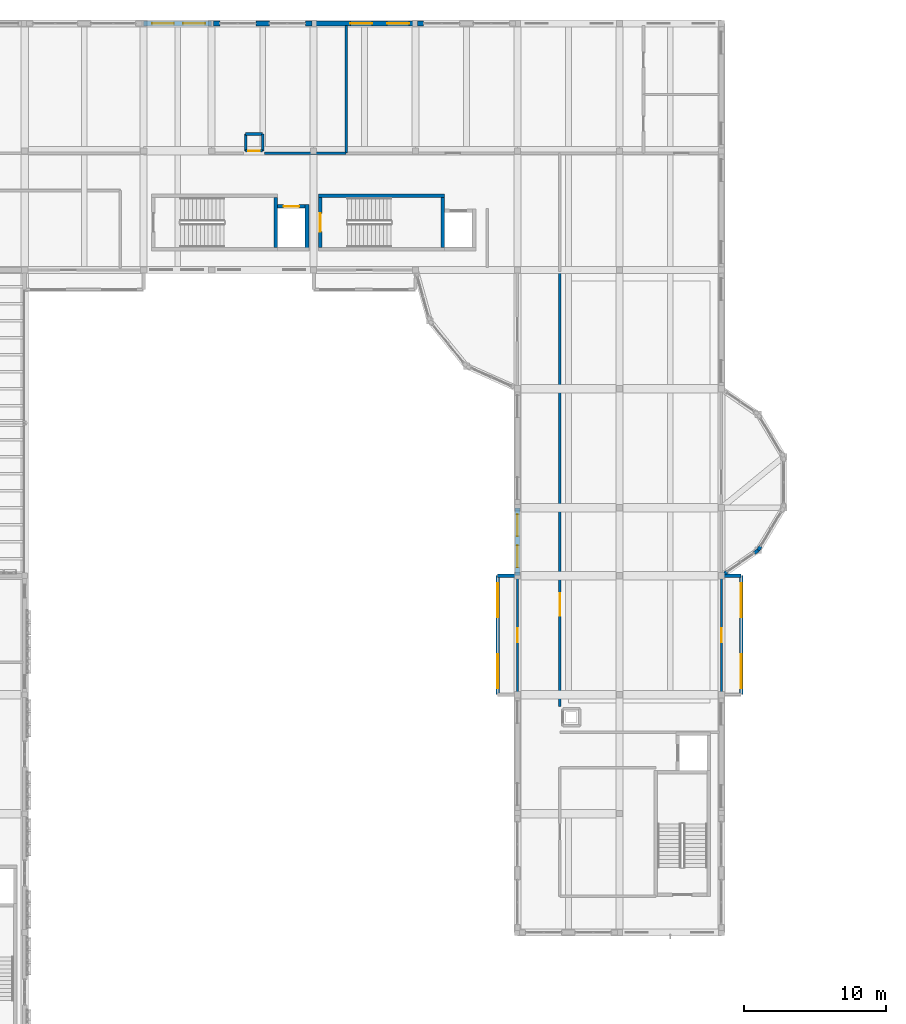
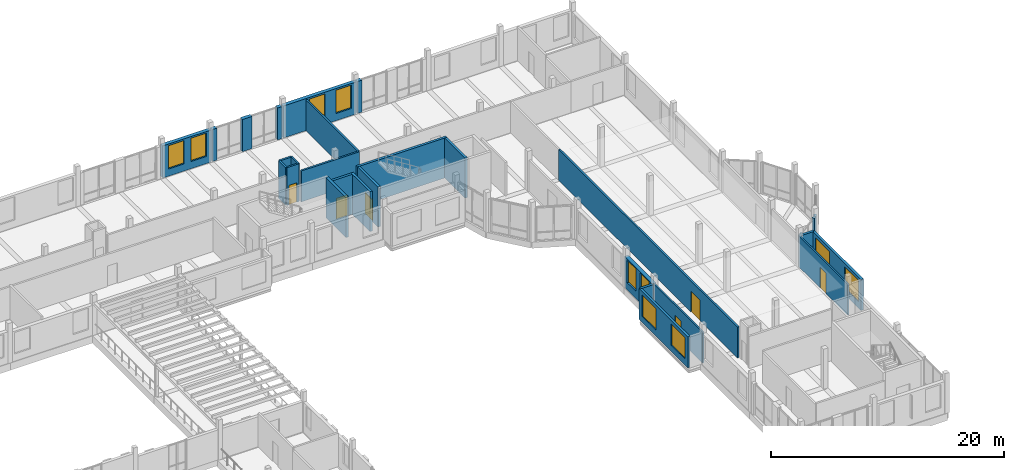
# One storey, part 72 of 99: 29 walls, 10 windows, 6 doors, 16 openings.
"""IFC4 building model written with IfcOpenShell, lengths in metres."""

import ifcopenshell
import ifcopenshell.guid

model = None  # the IFC model being written
_history = None  # IfcOwnerHistory: only IFC2X3 demands one
_inside = {}  # id of a spatial element -> (the spatial element, [elements in it])
_under = {}  # id of a project, library or spatial element -> (it, [spatial elements below it])
_declared = {}  # id of a project -> (the project, [libraries it declares])
_typed = {}  # id of a type object -> (the type object, [elements of that type])
_made_of = {}  # id of a material, layer set ... -> (it, [elements and type objects made of it])


def new_model(schema):
    """Start an empty IFC model of exactly this schema.

    Asked for "IFC4X3", IfcOpenShell would pick the latest addendum, in which some entities
    have other attributes; the version numbers below select the first issue.
    IFC2X3 requires an IfcOwnerHistory on every rooted entity: one is made here for all.
    """
    global model, _history
    if schema == "IFC4X3":
        model = ifcopenshell.file(schema_version=(4, 3, 0, 0))
    else:
        model = ifcopenshell.file(schema=schema)
    _inside.clear()
    _under.clear()
    _declared.clear()
    _typed.clear()
    _made_of.clear()
    _history = None
    if model.schema == "IFC2X3":
        org = make("IfcOrganization", Name="unknown")
        user = make(
            "IfcPersonAndOrganization",
            ThePerson=make("IfcPerson", FamilyName="unknown"),
            TheOrganization=org,
        )
        app = make(
            "IfcApplication",
            ApplicationDeveloper=org,
            Version="unknown",
            ApplicationFullName="unknown",
            ApplicationIdentifier="unknown",
        )
        _history = make(
            "IfcOwnerHistory",
            OwningUser=user,
            OwningApplication=app,
            ChangeAction="ADDED",
            CreationDate=0,
        )
    return model


def make(cls, **values):
    """One entity of the class cls with the attributes given. An attribute that is None is left unset."""
    return model.create_entity(
        cls, **{name: value for name, value in values.items() if value is not None}
    )


def rooted(cls, **values):
    """An entity with a GlobalId (a new one), such as an element, a storey or a relation."""
    return make(cls, GlobalId=ifcopenshell.guid.new(), OwnerHistory=_history, **values)


def si_unit(unit_type, name, prefix=None):
    """IfcSIUnit, for example si_unit("LENGTHUNIT", "METRE", prefix="MILLI")."""
    return make("IfcSIUnit", UnitType=unit_type, Prefix=prefix, Name=name)


def assignment(units):
    """IfcUnitAssignment: the units of a project."""
    return None if units is None else make("IfcUnitAssignment", Units=units)


def point(xyz):
    """IfcCartesianPoint."""
    return None if xyz is None else make("IfcCartesianPoint", Coordinates=xyz)


def direction(xyz):
    """IfcDirection."""
    return None if xyz is None else make("IfcDirection", DirectionRatios=xyz)


def frame(location, z_axis=None, x_axis=None):
    """IfcAxis2Placement3D, a coordinate frame: its origin and axes. An axis left out is left unset."""
    return make(
        "IfcAxis2Placement3D",
        Location=point(location),
        Axis=direction(z_axis),
        RefDirection=direction(x_axis),
    )


def frame_2d(location, x_axis=None):
    """IfcAxis2Placement2D, a coordinate frame in the plane: its origin and x axis."""
    return make(
        "IfcAxis2Placement2D", Location=point(location), RefDirection=direction(x_axis)
    )


def origin():
    """The frame at (0, 0, 0) with its axes left unset."""
    return frame((0.0, 0.0, 0.0))


def place(relative_to, where):
    """IfcLocalPlacement: puts the frame where relative to a parent placement (None: the world)."""
    return make(
        "IfcLocalPlacement", PlacementRelTo=relative_to, RelativePlacement=where
    )


def context(
    kind, dimensions, precision=None, world=None, true_north=None, identifier=None
):
    """IfcGeometricRepresentationContext, for example the 3D "Model" context."""
    return make(
        "IfcGeometricRepresentationContext",
        ContextIdentifier=identifier,
        ContextType=kind,
        CoordinateSpaceDimension=dimensions,
        Precision=precision,
        WorldCoordinateSystem=world,
        TrueNorth=true_north,
    )


def subcontext(parent, identifier, kind, view, scale=None):
    """IfcGeometricRepresentationSubContext, for example "Body" below "Model"."""
    return make(
        "IfcGeometricRepresentationSubContext",
        ContextIdentifier=identifier,
        ContextType=kind,
        ParentContext=parent,
        TargetScale=scale,
        TargetView=view,
    )


def project(units=None, contexts=None):
    """IfcProject with its units and contexts."""
    return rooted(
        "IfcProject",
        Name="project",
        RepresentationContexts=contexts,
        UnitsInContext=assignment(units),
    )


def spatial(cls, under=None, at=None, **own):
    """A site, building, storey or space (cls), placed at a placement, below another one or the project."""
    s = rooted(cls, ObjectPlacement=at, **own)
    if under is not None:
        _under.setdefault(under.id(), (under, []))[1].append(s)
    return s


def profile(cls, at=None, kind="AREA", **sizes):
    """A parametric profile (cls). Its sizes go by their IFC names, for example OverallWidth=200.0."""
    return make(cls, ProfileType=kind, Position=at, **sizes)


def rectangle(**sizes):
    """IfcRectangleProfileDef."""
    return profile("IfcRectangleProfileDef", **sizes)


def extrude(swept, where, along, depth):
    """IfcExtrudedAreaSolid: the profile swept, set in the frame where, extruded along a direction by depth."""
    return make(
        "IfcExtrudedAreaSolid",
        SweptArea=swept,
        Position=where,
        ExtrudedDirection=direction(along),
        Depth=depth,
    )


def shape(context_of_items, identifier, shape_type, items):
    """IfcShapeRepresentation: the items that make up one representation, for example the "Body"."""
    return make(
        "IfcShapeRepresentation",
        ContextOfItems=context_of_items,
        RepresentationIdentifier=identifier,
        RepresentationType=shape_type,
        Items=items,
    )


def material(Name=None, Category=None):
    """IfcMaterial."""
    return make("IfcMaterial", Name=Name, Category=Category)


def layer(
    of_material, thickness, ventilated=None, Name=None, Category=None, Priority=None
):
    """IfcMaterialLayer: one layer of a wall or slab, of a material (None: an air gap)."""
    return make(
        "IfcMaterialLayer",
        Material=of_material,
        LayerThickness=thickness,
        IsVentilated=ventilated,
        Name=Name,
        Category=Category,
        Priority=Priority,
    )


def layer_set(layers, Name=None):
    """IfcMaterialLayerSet."""
    return make("IfcMaterialLayerSet", MaterialLayers=layers, LayerSetName=Name)


def made_of(thing, what):
    """Note that an element or type object is made of a material, layer set ...; save() writes the relation."""
    if what is not None:
        _made_of.setdefault(what.id(), (what, []))[1].append(thing)
    return thing


def type_object(cls, material=None, **own):
    """A type object (cls), such as IfcWallType, which elements share."""
    return made_of(rooted(cls, **own), material)


def element(
    cls,
    number,
    at=None,
    inside=None,
    cuts=None,
    type_object=None,
    material=None,
    context=None,
    identifier="Body",
    shape_type=None,
    held_by="IfcProductDefinitionShape",
    body=None,
    shapes=None,
    **own,
):
    """One element of the class cls, such as IfcWall. Its Tag is "e" and its number.

    at: its placement. inside: the storey or other place that contains it. cuts: it is an
    opening in that element (IfcRelVoidsElement). A single representation is given by context,
    identifier, shape_type and body (its items); several are given by shapes. held_by: the class
    of the entity that holds the representations. save() writes the other relations.
    """
    e = rooted(cls, Tag="e%d" % number, ObjectPlacement=at, **own)
    if body is not None:
        shapes = [shape(context, identifier, shape_type, body)]
    if shapes is not None:
        e.Representation = make(held_by, Representations=shapes)
    if inside is not None:
        _inside.setdefault(inside.id(), (inside, []))[1].append(e)
    if cuts is not None:
        rooted(
            "IfcRelVoidsElement", RelatingBuildingElement=cuts, RelatedOpeningElement=e
        )
    if type_object is not None:
        _typed.setdefault(type_object.id(), (type_object, []))[1].append(e)
    return made_of(e, material)


def fill(opening, filler):
    """IfcRelFillsElement: the door or window that sits in an opening."""
    return rooted(
        "IfcRelFillsElement",
        RelatingOpeningElement=opening,
        RelatedBuildingElement=filler,
    )


def aggregate(whole, parts):
    """IfcRelAggregates: a whole, such as a stair, and the parts it consists of."""
    return rooted("IfcRelAggregates", RelatingObject=whole, RelatedObjects=parts)


def save(model, path):
    """Write the relations noted so far, then the file.

    IfcRelAggregates (storeys below a building ...), IfcRelContainedInSpatialStructure (elements
    in a storey), IfcRelDefinesByType, IfcRelAssociatesMaterial and IfcRelDeclares: one each for
    every whole, place, type object, material and project.
    """
    for whole, parts in _under.values():
        aggregate(whole, parts)
    for where, things in _inside.values():
        rooted(
            "IfcRelContainedInSpatialStructure",
            RelatedElements=things,
            RelatingStructure=where,
        )
    for kind, things in _typed.values():
        rooted("IfcRelDefinesByType", RelatedObjects=things, RelatingType=kind)
    for what, things in _made_of.values():
        rooted("IfcRelAssociatesMaterial", RelatedObjects=things, RelatingMaterial=what)
    for by, libraries in _declared.values():
        rooted("IfcRelDeclares", RelatingContext=by, RelatedDefinitions=libraries)
    model.write(path)


model = new_model("IFC4")

# Units and contexts
model_context = context("Model", 3, precision=1e-05, world=origin(), true_north=direction((0.0, 1.0)))
body_context = subcontext(model_context, "Body", "Model", "MODEL_VIEW")
ifc_project = project(units=[si_unit("LENGTHUNIT", "METRE"), si_unit("AREAUNIT", "SQUARE_METRE"), si_unit("VOLUMEUNIT", "CUBIC_METRE"), si_unit("PLANEANGLEUNIT", "RADIAN"), si_unit("MASSUNIT", "GRAM", prefix="KILO")], contexts=[model_context])

# Site, building, storey
site_placement = place(None, origin())
site = spatial("IfcSite", under=ifc_project, at=site_placement, CompositionType="ELEMENT")
building_placement = place(site_placement, origin())
building = spatial("IfcBuilding", under=site, at=building_placement, Name="Kahlenmark Community Centre", CompositionType="ELEMENT")
storey_placement = place(building_placement, frame((0.0, 0.0, 5.39990234375)))
storey = spatial("IfcBuildingStorey", under=building, at=storey_placement, Name="L01", CompositionType="ELEMENT", Elevation=5.39990234375)

# Walls
ifc_material_1 = material(Name="Concrete C35/45", Category="concrete")
ifc_layer_1 = layer(ifc_material_1, 0.25)
ifc_layer_set_1 = layer_set([ifc_layer_1], Name="Concrete C35/45")
wall_type_1 = type_object("IfcWallType", Name="WT-CORE-250", PredefinedType="SHEAR", material=ifc_layer_set_1)
wall_1_placement = place(storey_placement, frame((55.324951171875, 99.199951171875, 0.0), z_axis=(0.0, 0.0, 1.0), x_axis=(0.0, 1.0, 0.0)))
element("IfcWall", 1, at=wall_1_placement, inside=storey, type_object=wall_type_1, Name="Core K4 shear wall WL-CORE-K4-L01-0116", PredefinedType="SHEAR", context=body_context, shape_type="SweptSolid", body=[
    extrude(rectangle(XDim=3.5, YDim=0.25, at=frame_2d((1.75, 0.0))), origin(), (0.0, 0.0, 1.0), 4.2001953125),
])
wall_2_placement = place(storey_placement, frame((57.534912109375, 98.949951171875, 0.0), z_axis=(0.0, 0.0, 1.0), x_axis=(0.0, 1.0, 0.0)))
element("IfcWall", 2, at=wall_2_placement, inside=storey, type_object=wall_type_1, Name="Core K4 shear wall WL-CORE-K4-L01-0118", PredefinedType="SHEAR", context=body_context, shape_type="SweptSolid", body=[
    extrude(rectangle(XDim=3.260009765625, YDim=0.25, at=frame_2d((1.6298828125, 0.0))), origin(), (0.0, 0.0, 1.0), 4.2001953125),
])

# Wall, opening, door
wall_3_placement = place(storey_placement, frame((55.449951171875, 102.0849609375, 0.0), z_axis=(0.0, 0.0, 1.0), x_axis=(1.0, 0.0, 0.0)))
wall_3 = element("IfcWall", 3, at=wall_3_placement, inside=storey, type_object=wall_type_1, Name="Core K4 shear wall WL-CORE-K4-L01-0119", PredefinedType="SHEAR", context=body_context, shape_type="SweptSolid", body=[
    extrude(rectangle(XDim=1.9599609375, YDim=0.25, at=frame_2d((0.97998046875, 0.0))), origin(), (0.0, 0.0, 1.0), 4.2001953125),
])
opening_1_placement = place(wall_3_placement, frame((0.429931640625, 0.0, -0.010009765625)))
opening_1 = element("IfcOpeningElement", 4, at=opening_1_placement, cuts=wall_3, Name="Opening LD-4", PredefinedType="OPENING", context=body_context, shape_type="SweptSolid", body=[
    extrude(rectangle(XDim=1.10009765625, YDim=2.159912109375, at=frame_2d((0.550048828125, 1.080078125))), frame((0.0, 0.135009765625, 0.0), z_axis=(0.0, -1.0, 0.0), x_axis=(1.0, 0.0, 0.0)), (0.0, 0.0, 1.0), 0.27001953125),
])
ifc_material_2 = material(Name="Brushed stainless steel sliding lift landing door", Category="steel")
door_type_1 = type_object("IfcDoorType", Name="DT-LD-K4", OperationType="SLIDING_TO_LEFT", PredefinedType="DOOR", material=ifc_material_2)
door_1_placement = place(opening_1_placement, frame((0.0, 0.0, 0.010009765625)))
door_1 = element("IfcDoor", 5, at=door_1_placement, inside=storey, type_object=door_type_1, Name="Lift LF-04 sliding landing door L01", OperationType="SLIDING_TO_LEFT", OverallHeight=2.14990234375, OverallWidth=1.10009765625, PredefinedType="DOOR", context=body_context, shape_type="SweptSolid", body=[
    extrude(rectangle(XDim=1.10009765625, YDim=2.14990234375, at=frame_2d((0.550048828125, 1.074951171875))), frame((0.0, 0.02490234375, 0.0), z_axis=(0.0, -1.0, 0.0), x_axis=(1.0, 0.0, 0.0)), (0.0, 0.0, 1.0), 0.050048828125),
])
fill(opening_1, door_1)

wall_4_placement = place(storey_placement, frame((58.47509765625, 102.699951171875, 0.0), z_axis=(0.0, 0.0, 1.0), x_axis=(0.0, -1.0, 0.0)))
wall_4 = element("IfcWall", 6, at=wall_4_placement, inside=storey, type_object=wall_type_1, Name="Core K5 shear wall WL-CORE-K5-L01-0162", PredefinedType="SHEAR", context=body_context, shape_type="SweptSolid", body=[
    extrude(rectangle(XDim=3.5, YDim=0.25, at=frame_2d((1.75, 0.0))), origin(), (0.0, 0.0, 1.0), 4.2001953125),
])
opening_2_placement = place(wall_4_placement, frame((1.10009765625, 0.0, -0.010009765625)))
opening_2 = element("IfcOpeningElement", 7, at=opening_2_placement, cuts=wall_4, Name="Opening FD-K5-L01", PredefinedType="OPENING", context=body_context, shape_type="SweptSolid", body=[
    extrude(rectangle(XDim=1.300048828125, YDim=2.159912109375, at=frame_2d((0.64990234375, 1.080078125))), frame((0.0, 0.135009765625, 0.0), z_axis=(0.0, -1.0, 0.0), x_axis=(1.0, 0.0, 0.0)), (0.0, 0.0, 1.0), 0.27001953125),
])
ifc_material_3 = material(Name="Fire-rated steel-framed timber door FD60S", Category="steel")
door_type_2 = type_object("IfcDoorType", Name="DT-FD-K5-L01", OperationType="NOTDEFINED", PredefinedType="DOOR", material=ifc_material_3)
door_2_placement = place(opening_2_placement, frame((1.300048828125, 0.0, 0.010009765625), z_axis=(0.0, 0.0, 1.0), x_axis=(-1.0, 0.0, 0.0)))
door_2 = element("IfcDoor", 8, at=door_2_placement, inside=storey, type_object=door_type_2, Name="Core K5 stair fire door L01", OperationType="SINGLE_SWING_LEFT", OverallHeight=2.14990234375, OverallWidth=1.300048828125, PredefinedType="DOOR", context=body_context, shape_type="SweptSolid", body=[
    extrude(rectangle(XDim=1.300048828125, YDim=2.14990234375, at=frame_2d((0.64990234375, 1.074951171875))), frame((0.0, 0.02490234375, 0.0), z_axis=(0.0, -1.0, 0.0), x_axis=(1.0, 0.0, 0.0)), (0.0, 0.0, 1.0), 0.050048828125),
])
fill(opening_2, door_2)

# Walls
wall_5_placement = place(storey_placement, frame((58.35009765625, 102.824951171875, 0.0), z_axis=(0.0, 0.0, 1.0), x_axis=(1.0, 0.0, 0.0)))
element("IfcWall", 9, at=wall_5_placement, inside=storey, type_object=wall_type_1, Name="Core K5 shear wall WL-CORE-K5-L01-0164", PredefinedType="SHEAR", context=body_context, shape_type="SweptSolid", body=[
    extrude(rectangle(XDim=8.89990234375, YDim=0.25, at=frame_2d((4.449951171875, 0.0))), origin(), (0.0, 0.0, 1.0), 4.2001953125),
])
wall_6_placement = place(storey_placement, frame((67.125, 99.199951171875, 0.0), z_axis=(0.0, 0.0, 1.0), x_axis=(0.0, 1.0, 0.0)))
element("IfcWall", 10, at=wall_6_placement, inside=storey, type_object=wall_type_1, Name="Core K5 shear wall WL-CORE-K5-L01-0165", PredefinedType="SHEAR", context=body_context, shape_type="SweptSolid", body=[
    extrude(rectangle(XDim=3.5, YDim=0.25, at=frame_2d((1.75, 0.0))), origin(), (0.0, 0.0, 1.0), 4.2001953125),
])
ifc_material_4 = material(Name="Cross-laminated timber CLT C24", Category="wood")
ifc_layer_2 = layer(ifc_material_4, 0.239990234375)
ifc_layer_set_2 = layer_set([ifc_layer_2], Name="Cross-laminated timber CLT C24")
wall_type_2 = type_object("IfcWallType", Name="WT-EW-240", PredefinedType="SOLIDWALL", material=ifc_layer_set_2)
wall_7_placement = place(storey_placement, frame((87.0302734375, 76.159423828125, 0.0), z_axis=(0.0, 0.0, 1.0), x_axis=(0.822192191644, 0.56920997883, 0.0)))
element("IfcWall", 11, at=wall_7_placement, inside=storey, type_object=wall_type_2, Name="Rotunda pier closure 0716", PredefinedType="SOLIDWALL", context=body_context, shape_type="SweptSolid", body=[
    extrude(rectangle(XDim=0.219970703125, YDim=0.239990234375, at=frame_2d((0.10986328125, 0.0))), origin(), (0.0, 0.0, 1.0), 3.25),
])
wall_8_placement = place(storey_placement, frame((89.12060546875, 77.6064453125, 0.0), z_axis=(0.0, 0.0, 1.0), x_axis=(0.821855834467, 0.569695521619, 0.0)))
element("IfcWall", 12, at=wall_8_placement, inside=storey, type_object=wall_type_2, Name="Rotunda pier closure 0717", PredefinedType="SOLIDWALL", context=body_context, shape_type="SweptSolid", body=[
    extrude(rectangle(XDim=0.33984375, YDim=0.239990234375, at=frame_2d((0.169921875, 0.0))), origin(), (0.0, 0.0, 1.0), 3.25),
])
wall_9_placement = place(storey_placement, frame((89.39990234375, 77.800048828125, 0.0), z_axis=(0.0, 0.0, 1.0), x_axis=(0.514812489021, 0.857302805984, 0.0)))
element("IfcWall", 13, at=wall_9_placement, inside=storey, type_object=wall_type_2, Name="Rotunda pier closure 0718", PredefinedType="SOLIDWALL", context=body_context, shape_type="SweptSolid", body=[
    extrude(rectangle(XDim=0.340087890625, YDim=0.239990234375, at=frame_2d((0.169921875, 0.0))), origin(), (0.0, 0.0, 1.0), 3.25),
])

# Wall, openings, windows
wall_10_placement = place(storey_placement, frame((88.199951171875, 67.60009765625, 0.0), z_axis=(0.0, 0.0, 1.0), x_axis=(0.0, 1.0, 0.0)))
wall_10 = element("IfcWall", 14, at=wall_10_placement, inside=storey, type_object=wall_type_2, Name="Bay oriel wall WL-ORI-L01-0809", PredefinedType="SOLIDWALL", context=body_context, shape_type="SweptSolid", body=[
    extrude(rectangle(XDim=8.39990234375, YDim=0.239990234375, at=frame_2d((4.199951171875, 0.0))), origin(), (0.0, 0.0, 1.0), 3.25),
])
opening_3_placement = place(wall_10_placement, frame((0.4599609375, 0.0, 0.64990234375)))
opening_3 = element("IfcOpeningElement", 15, at=opening_3_placement, cuts=wall_10, Name="Opening W-240X225", PredefinedType="OPENING", context=body_context, shape_type="SweptSolid", body=[
    extrude(rectangle(XDim=2.39990234375, YDim=2.25, at=frame_2d((1.199951171875, 1.125))), frame((0.0, 0.1298828125, 0.0), z_axis=(0.0, -1.0, 0.0), x_axis=(1.0, 0.0, 0.0)), (0.0, 0.0, 1.0), 0.260009765625),
])
opening_4_placement = place(wall_10_placement, frame((5.4599609375, 0.0, 0.64990234375)))
opening_4 = element("IfcOpeningElement", 16, at=opening_4_placement, cuts=wall_10, Name="Opening W-240X225", PredefinedType="OPENING", context=body_context, shape_type="SweptSolid", body=[
    extrude(rectangle(XDim=2.39990234375, YDim=2.25, at=frame_2d((1.199951171875, 1.125))), frame((0.0, 0.1298828125, 0.0), z_axis=(0.0, -1.0, 0.0), x_axis=(1.0, 0.0, 0.0)), (0.0, 0.0, 1.0), 0.260009765625),
])
ifc_material_5 = material(Name="Triple low-e insulated glazing in timber-aluminium frame", Category="wood")
window_type_1 = type_object("IfcWindowType", Name="WNT-240X225", PartitioningType="TRIPLE_PANEL_VERTICAL", PredefinedType="WINDOW", material=ifc_material_5)
window_1_placement = place(opening_3_placement, origin())
window_1 = element("IfcWindow", 17, at=window_1_placement, inside=storey, type_object=window_type_1, Name="Window W-240X225 #0503", OverallHeight=2.25, OverallWidth=2.39990234375, PartitioningType="TRIPLE_PANEL_VERTICAL", PredefinedType="WINDOW", context=body_context, shape_type="SweptSolid", body=[
    extrude(rectangle(XDim=2.39990234375, YDim=2.25, at=frame_2d((1.199951171875, 1.125))), frame((0.0, 0.030029296875, 0.0), z_axis=(0.0, -1.0, 0.0), x_axis=(1.0, 0.0, 0.0)), (0.0, 0.0, 1.0), 0.06005859375),
])
fill(opening_3, window_1)
window_2_placement = place(opening_4_placement, origin())
window_2 = element("IfcWindow", 18, at=window_2_placement, inside=storey, type_object=window_type_1, Name="Window W-240X225 #0504", OverallHeight=2.25, OverallWidth=2.39990234375, PartitioningType="TRIPLE_PANEL_VERTICAL", PredefinedType="WINDOW", context=body_context, shape_type="SweptSolid", body=[
    extrude(rectangle(XDim=2.39990234375, YDim=2.25, at=frame_2d((1.199951171875, 1.125))), frame((0.0, 0.030029296875, 0.0), z_axis=(0.0, -1.0, 0.0), x_axis=(1.0, 0.0, 0.0)), (0.0, 0.0, 1.0), 0.06005859375),
])
fill(opening_4, window_2)

# Wall
wall_11_placement = place(storey_placement, frame((88.199951171875, 76.0, 0.0), z_axis=(0.0, 0.0, 1.0), x_axis=(-1.0, 0.0, 0.0)))
element("IfcWall", 19, at=wall_11_placement, inside=storey, type_object=wall_type_2, Name="Bay oriel wall WL-ORI-L01-0810", PredefinedType="SOLIDWALL", context=body_context, shape_type="SweptSolid", body=[
    extrude(rectangle(XDim=1.39990234375, YDim=0.239990234375, at=frame_2d((0.699951171875, 0.0))), origin(), (0.0, 0.0, 1.0), 3.25),
])

# Wall, openings, windows
wall_12_placement = place(storey_placement, frame((71.0, 67.60009765625, 0.0), z_axis=(0.0, 0.0, 1.0), x_axis=(0.0, 1.0, 0.0)))
wall_12 = element("IfcWall", 20, at=wall_12_placement, inside=storey, type_object=wall_type_2, Name="Bay oriel wall WL-ORI-L01-0845", PredefinedType="SOLIDWALL", context=body_context, shape_type="SweptSolid", body=[
    extrude(rectangle(XDim=8.39990234375, YDim=0.239990234375, at=frame_2d((4.199951171875, 0.0))), origin(), (0.0, 0.0, 1.0), 3.25),
])
opening_5_placement = place(wall_12_placement, frame((0.4599609375, 0.0, 0.64990234375)))
opening_5 = element("IfcOpeningElement", 21, at=opening_5_placement, cuts=wall_12, Name="Opening W-240X225", PredefinedType="OPENING", context=body_context, shape_type="SweptSolid", body=[
    extrude(rectangle(XDim=2.39990234375, YDim=2.25, at=frame_2d((1.199951171875, 1.125))), frame((0.0, 0.1298828125, 0.0), z_axis=(0.0, -1.0, 0.0), x_axis=(1.0, 0.0, 0.0)), (0.0, 0.0, 1.0), 0.260009765625),
])
opening_6_placement = place(wall_12_placement, frame((5.4599609375, 0.0, 0.64990234375)))
opening_6 = element("IfcOpeningElement", 22, at=opening_6_placement, cuts=wall_12, Name="Opening W-240X225", PredefinedType="OPENING", context=body_context, shape_type="SweptSolid", body=[
    extrude(rectangle(XDim=2.39990234375, YDim=2.25, at=frame_2d((1.199951171875, 1.125))), frame((0.0, 0.1298828125, 0.0), z_axis=(0.0, -1.0, 0.0), x_axis=(1.0, 0.0, 0.0)), (0.0, 0.0, 1.0), 0.260009765625),
])
window_3_placement = place(opening_5_placement, origin())
window_3 = element("IfcWindow", 23, at=window_3_placement, inside=storey, type_object=window_type_1, Name="Window W-240X225 #0527", OverallHeight=2.25, OverallWidth=2.39990234375, PartitioningType="TRIPLE_PANEL_VERTICAL", PredefinedType="WINDOW", context=body_context, shape_type="SweptSolid", body=[
    extrude(rectangle(XDim=2.39990234375, YDim=2.25, at=frame_2d((1.199951171875, 1.125))), frame((0.0, 0.030029296875, 0.0), z_axis=(0.0, -1.0, 0.0), x_axis=(1.0, 0.0, 0.0)), (0.0, 0.0, 1.0), 0.06005859375),
])
fill(opening_5, window_3)
window_4_placement = place(opening_6_placement, origin())
window_4 = element("IfcWindow", 24, at=window_4_placement, inside=storey, type_object=window_type_1, Name="Window W-240X225 #0528", OverallHeight=2.25, OverallWidth=2.39990234375, PartitioningType="TRIPLE_PANEL_VERTICAL", PredefinedType="WINDOW", context=body_context, shape_type="SweptSolid", body=[
    extrude(rectangle(XDim=2.39990234375, YDim=2.25, at=frame_2d((1.199951171875, 1.125))), frame((0.0, 0.030029296875, 0.0), z_axis=(0.0, -1.0, 0.0), x_axis=(1.0, 0.0, 0.0)), (0.0, 0.0, 1.0), 0.06005859375),
])
fill(opening_6, window_4)

# Wall
wall_13_placement = place(storey_placement, frame((71.0, 76.0, 0.0), z_axis=(0.0, 0.0, 1.0), x_axis=(1.0, 0.0, 0.0)))
element("IfcWall", 25, at=wall_13_placement, inside=storey, type_object=wall_type_2, Name="Bay oriel wall WL-ORI-L01-0846", PredefinedType="SOLIDWALL", context=body_context, shape_type="SweptSolid", body=[
    extrude(rectangle(XDim=1.25, YDim=0.239990234375, at=frame_2d((0.625, 0.0))), origin(), (0.0, 0.0, 1.0), 3.25),
])

# Wall, openings, windows
ifc_material_6 = material(Name="Danube limestone masonry", Category="masonry")
ifc_layer_3 = layer(ifc_material_6, 0.360107421875)
ifc_layer_set_3 = layer_set([ifc_layer_3], Name="Danube limestone masonry")
wall_type_3 = type_object("IfcWallType", Name="WT-EW-360", PredefinedType="SOLIDWALL", material=ifc_layer_set_3)
wall_14_placement = place(storey_placement, frame((50.800048828125, 115.0, 0.0), z_axis=(0.0, 0.0, 1.0), x_axis=(-1.0, 0.0, 0.0)))
wall_14 = element("IfcWall", 26, at=wall_14_placement, inside=storey, type_object=wall_type_3, Name="Exterior wall WL-EXT-L01-0339", PredefinedType="SOLIDWALL", context=body_context, shape_type="SweptSolid", body=[
    extrude(rectangle(XDim=4.800048828125, YDim=0.360107421875, at=frame_2d((2.39990234375, 0.0))), origin(), (0.0, 0.0, 1.0), 3.3701171875),
])
opening_7_placement = place(wall_14_placement, frame((0.4599609375, 0.0, 0.75)))
opening_7 = element("IfcOpeningElement", 27, at=opening_7_placement, cuts=wall_14, Name="Opening W-155X245", PredefinedType="OPENING", context=body_context, shape_type="SweptSolid", body=[
    extrude(rectangle(XDim=1.550048828125, YDim=2.449951171875, at=frame_2d((0.77490234375, 1.22509765625))), frame((0.0, 0.18994140625, 0.0), z_axis=(0.0, -1.0, 0.0), x_axis=(1.0, 0.0, 0.0)), (0.0, 0.0, 1.0), 0.380126953125),
])
opening_8_placement = place(wall_14_placement, frame((2.659912109375, 0.0, 0.75)))
opening_8 = element("IfcOpeningElement", 28, at=opening_8_placement, cuts=wall_14, Name="Opening W-155X245", PredefinedType="OPENING", context=body_context, shape_type="SweptSolid", body=[
    extrude(rectangle(XDim=1.550048828125, YDim=2.449951171875, at=frame_2d((0.77490234375, 1.22509765625))), frame((0.0, 0.18994140625, 0.0), z_axis=(0.0, -1.0, 0.0), x_axis=(1.0, 0.0, 0.0)), (0.0, 0.0, 1.0), 0.380126953125),
])
ifc_material_7 = material(Name="Deep-reveal limestone punched triple glazing", Category="masonry")
window_type_2 = type_object("IfcWindowType", Name="WNT-155X245", PartitioningType="DOUBLE_PANEL_HORIZONTAL", PredefinedType="WINDOW", material=ifc_material_7)
window_5_placement = place(opening_7_placement, origin())
window_5 = element("IfcWindow", 29, at=window_5_placement, inside=storey, type_object=window_type_2, Name="Window W-155X245 #0197", OverallHeight=2.449951171875, OverallWidth=1.550048828125, PartitioningType="DOUBLE_PANEL_HORIZONTAL", PredefinedType="WINDOW", context=body_context, shape_type="SweptSolid", body=[
    extrude(rectangle(XDim=1.550048828125, YDim=2.449951171875, at=frame_2d((0.77490234375, 1.22509765625))), frame((0.0, 0.030029296875, 0.0), z_axis=(0.0, -1.0, 0.0), x_axis=(1.0, 0.0, 0.0)), (0.0, 0.0, 1.0), 0.06005859375),
])
fill(opening_7, window_5)
window_6_placement = place(opening_8_placement, origin())
window_6 = element("IfcWindow", 30, at=window_6_placement, inside=storey, type_object=window_type_2, Name="Window W-155X245 #0198", OverallHeight=2.449951171875, OverallWidth=1.550048828125, PartitioningType="DOUBLE_PANEL_HORIZONTAL", PredefinedType="WINDOW", context=body_context, shape_type="SweptSolid", body=[
    extrude(rectangle(XDim=1.550048828125, YDim=2.449951171875, at=frame_2d((0.77490234375, 1.22509765625))), frame((0.0, 0.030029296875, 0.0), z_axis=(0.0, -1.0, 0.0), x_axis=(1.0, 0.0, 0.0)), (0.0, 0.0, 1.0), 0.06005859375),
])
fill(opening_8, window_6)

# Walls
wall_15_placement = place(storey_placement, frame((54.8798828125, 115.0, 0.0), z_axis=(0.0, 0.0, 1.0), x_axis=(-1.0, 0.0, 0.0)))
element("IfcWall", 31, at=wall_15_placement, inside=storey, type_object=wall_type_3, Name="Postmodern limestone pier 0340", PredefinedType="SOLIDWALL", context=body_context, shape_type="SweptSolid", body=[
    extrude(rectangle(XDim=0.9599609375, YDim=0.360107421875, at=frame_2d((0.47998046875, 0.0))), origin(), (0.0, 0.0, 1.0), 3.3701171875),
])
wall_16_placement = place(storey_placement, frame((57.8701171875, 115.0, 0.0), z_axis=(0.0, 0.0, 1.0), x_axis=(-1.0, 0.0, 0.0)))
element("IfcWall", 32, at=wall_16_placement, inside=storey, type_object=wall_type_3, Name="Column closure pier 0341", PredefinedType="SOLIDWALL", context=body_context, shape_type="SweptSolid", body=[
    extrude(rectangle(XDim=0.4501953125, YDim=0.360107421875, at=frame_2d((0.22509765625, 0.0))), origin(), (0.0, 0.0, 1.0), 3.3701171875),
])
wall_17_placement = place(storey_placement, frame((51.3798828125, 115.0, 0.0), z_axis=(0.0, 0.0, 1.0), x_axis=(-1.0, 0.0, 0.0)))
element("IfcWall", 33, at=wall_17_placement, inside=storey, type_object=wall_type_3, Name="Column closure pier 0342", PredefinedType="SOLIDWALL", context=body_context, shape_type="SweptSolid", body=[
    extrude(rectangle(XDim=0.449951171875, YDim=0.360107421875, at=frame_2d((0.22509765625, 0.0))), origin(), (0.0, 0.0, 1.0), 3.3701171875),
])

# Wall, openings, windows
wall_18_placement = place(storey_placement, frame((65.199951171875, 115.0, 0.0), z_axis=(0.0, 0.0, 1.0), x_axis=(-1.0, 0.0, 0.0)))
wall_18 = element("IfcWall", 34, at=wall_18_placement, inside=storey, type_object=wall_type_3, Name="Exterior wall WL-EXT-L01-0343", PredefinedType="SOLIDWALL", context=body_context, shape_type="SweptSolid", body=[
    extrude(rectangle(XDim=7.199951171875, YDim=0.360107421875, at=frame_2d((3.60009765625, 0.0))), origin(), (0.0, 0.0, 1.0), 3.3701171875),
])
opening_9_placement = place(wall_18_placement, frame((0.4599609375, 0.0, 0.75)))
opening_9 = element("IfcOpeningElement", 35, at=opening_9_placement, cuts=wall_18, Name="Opening W-155X245", PredefinedType="OPENING", context=body_context, shape_type="SweptSolid", body=[
    extrude(rectangle(XDim=1.550048828125, YDim=2.449951171875, at=frame_2d((0.77490234375, 1.22509765625))), frame((0.0, 0.18994140625, 0.0), z_axis=(0.0, -1.0, 0.0), x_axis=(1.0, 0.0, 0.0)), (0.0, 0.0, 1.0), 0.380126953125),
])
opening_10_placement = place(wall_18_placement, frame((3.06005859375, 0.0, 0.75)))
opening_10 = element("IfcOpeningElement", 36, at=opening_10_placement, cuts=wall_18, Name="Opening W-155X245", PredefinedType="OPENING", context=body_context, shape_type="SweptSolid", body=[
    extrude(rectangle(XDim=1.550048828125, YDim=2.449951171875, at=frame_2d((0.77490234375, 1.22509765625))), frame((0.0, 0.18994140625, 0.0), z_axis=(0.0, -1.0, 0.0), x_axis=(1.0, 0.0, 0.0)), (0.0, 0.0, 1.0), 0.380126953125),
])
window_7_placement = place(opening_9_placement, origin())
window_7 = element("IfcWindow", 37, at=window_7_placement, inside=storey, type_object=window_type_2, Name="Window W-155X245 #0199", OverallHeight=2.449951171875, OverallWidth=1.550048828125, PartitioningType="DOUBLE_PANEL_HORIZONTAL", PredefinedType="WINDOW", context=body_context, shape_type="SweptSolid", body=[
    extrude(rectangle(XDim=1.550048828125, YDim=2.449951171875, at=frame_2d((0.77490234375, 1.22509765625))), frame((0.0, 0.030029296875, 0.0), z_axis=(0.0, -1.0, 0.0), x_axis=(1.0, 0.0, 0.0)), (0.0, 0.0, 1.0), 0.06005859375),
])
fill(opening_9, window_7)
window_8_placement = place(opening_10_placement, origin())
window_8 = element("IfcWindow", 38, at=window_8_placement, inside=storey, type_object=window_type_2, Name="Window W-155X245 #0200", OverallHeight=2.449951171875, OverallWidth=1.550048828125, PartitioningType="DOUBLE_PANEL_HORIZONTAL", PredefinedType="WINDOW", context=body_context, shape_type="SweptSolid", body=[
    extrude(rectangle(XDim=1.550048828125, YDim=2.449951171875, at=frame_2d((0.77490234375, 1.22509765625))), frame((0.0, 0.030029296875, 0.0), z_axis=(0.0, -1.0, 0.0), x_axis=(1.0, 0.0, 0.0)), (0.0, 0.0, 1.0), 0.06005859375),
])
fill(opening_10, window_8)

# Wall
wall_19_placement = place(storey_placement, frame((65.780029296875, 115.0, 0.0), z_axis=(0.0, 0.0, 1.0), x_axis=(-1.0, 0.0, 0.0)))
element("IfcWall", 39, at=wall_19_placement, inside=storey, type_object=wall_type_3, Name="Column closure pier 0346", PredefinedType="SOLIDWALL", context=body_context, shape_type="SweptSolid", body=[
    extrude(rectangle(XDim=0.449951171875, YDim=0.360107421875, at=frame_2d((0.22509765625, 0.0))), origin(), (0.0, 0.0, 1.0), 3.3701171875),
])

# Wall, openings, windows
wall_20_placement = place(storey_placement, frame((72.39990234375, 80.800048828125, 0.0), z_axis=(0.0, 0.0, 1.0), x_axis=(0.0, -1.0, 0.0)))
wall_20 = element("IfcWall", 40, at=wall_20_placement, inside=storey, type_object=wall_type_3, Name="Exterior wall WL-EXT-L01-0361", PredefinedType="SOLIDWALL", context=body_context, shape_type="SweptSolid", body=[
    extrude(rectangle(XDim=4.800048828125, YDim=0.360107421875, at=frame_2d((2.39990234375, 0.0))), origin(), (0.0, 0.0, 1.0), 3.25),
])
opening_11_placement = place(wall_20_placement, frame((0.4599609375, 0.0, 0.75)))
opening_11 = element("IfcOpeningElement", 41, at=opening_11_placement, cuts=wall_20, Name="Opening W-155X236", PredefinedType="OPENING", context=body_context, shape_type="SweptSolid", body=[
    extrude(rectangle(XDim=1.550048828125, YDim=2.360107421875, at=frame_2d((0.77490234375, 1.18017578125))), frame((0.0, 0.18994140625, 0.0), z_axis=(0.0, -1.0, 0.0), x_axis=(1.0, 0.0, 0.0)), (0.0, 0.0, 1.0), 0.380126953125),
])
opening_12_placement = place(wall_20_placement, frame((2.659912109375, 0.0, 0.75)))
opening_12 = element("IfcOpeningElement", 42, at=opening_12_placement, cuts=wall_20, Name="Opening W-155X236", PredefinedType="OPENING", context=body_context, shape_type="SweptSolid", body=[
    extrude(rectangle(XDim=1.550048828125, YDim=2.360107421875, at=frame_2d((0.77490234375, 1.18017578125))), frame((0.0, 0.18994140625, 0.0), z_axis=(0.0, -1.0, 0.0), x_axis=(1.0, 0.0, 0.0)), (0.0, 0.0, 1.0), 0.380126953125),
])
window_type_3 = type_object("IfcWindowType", Name="WNT-155X236", PartitioningType="DOUBLE_PANEL_HORIZONTAL", PredefinedType="WINDOW", material=ifc_material_7)
window_9_placement = place(opening_11_placement, origin())
window_9 = element("IfcWindow", 43, at=window_9_placement, inside=storey, type_object=window_type_3, Name="Window W-155X236 #0217", OverallHeight=2.360107421875, OverallWidth=1.550048828125, PartitioningType="DOUBLE_PANEL_HORIZONTAL", PredefinedType="WINDOW", context=body_context, shape_type="SweptSolid", body=[
    extrude(rectangle(XDim=1.550048828125, YDim=2.360107421875, at=frame_2d((0.77490234375, 1.18017578125))), frame((0.0, 0.030029296875, 0.0), z_axis=(0.0, -1.0, 0.0), x_axis=(1.0, 0.0, 0.0)), (0.0, 0.0, 1.0), 0.06005859375),
])
fill(opening_11, window_9)
window_10_placement = place(opening_12_placement, origin())
window_10 = element("IfcWindow", 44, at=window_10_placement, inside=storey, type_object=window_type_3, Name="Window W-155X236 #0218", OverallHeight=2.360107421875, OverallWidth=1.550048828125, PartitioningType="DOUBLE_PANEL_HORIZONTAL", PredefinedType="WINDOW", context=body_context, shape_type="SweptSolid", body=[
    extrude(rectangle(XDim=1.550048828125, YDim=2.360107421875, at=frame_2d((0.77490234375, 1.18017578125))), frame((0.0, 0.030029296875, 0.0), z_axis=(0.0, -1.0, 0.0), x_axis=(1.0, 0.0, 0.0)), (0.0, 0.0, 1.0), 0.06005859375),
])
fill(opening_12, window_10)

# Wall, opening, door
ifc_material_8 = material(Name="Gypsum plasterboard partition", Category="gypsum")
ifc_layer_4 = layer(ifc_material_8, 0.14990234375)
ifc_layer_set_4 = layer_set([ifc_layer_4], Name="Gypsum plasterboard partition")
wall_type_4 = type_object("IfcWallType", Name="WT-PW-150", PredefinedType="PARTITIONING", material=ifc_layer_set_4)
wall_21_placement = place(storey_placement, frame((86.800048828125, 67.60009765625, 0.0), z_axis=(0.0, 0.0, 1.0), x_axis=(0.0, 1.0, 0.0)))
wall_21 = element("IfcWall", 45, at=wall_21_placement, inside=storey, type_object=wall_type_4, Name="Interior partition WL-INT-L01-0140", PredefinedType="PARTITIONING", context=body_context, shape_type="SweptSolid", body=[
    extrude(rectangle(XDim=8.39990234375, YDim=0.14990234375, at=frame_2d((4.199951171875, 0.0))), origin(), (0.0, 0.0, 1.0), 3.25),
])
opening_13_placement = place(wall_21_placement, frame((3.699951171875, 0.0, -0.010009765625)))
opening_13 = element("IfcOpeningElement", 46, at=opening_13_placement, cuts=wall_21, Name="Opening D-L01-082", PredefinedType="OPENING", context=body_context, shape_type="SweptSolid", body=[
    extrude(rectangle(XDim=1.0, YDim=2.159912109375, at=frame_2d((0.5, 1.080078125))), frame((0.0, 0.0849609375, 0.0), z_axis=(0.0, -1.0, 0.0), x_axis=(1.0, 0.0, 0.0)), (0.0, 0.0, 1.0), 0.169921875),
])
ifc_material_9 = material(Name="Oak timber veneer door leaf", Category="wood")
door_type_3 = type_object("IfcDoorType", Name="DT-INT-100X215", OperationType="NOTDEFINED", PredefinedType="DOOR", material=ifc_material_9)
door_3_placement = place(opening_13_placement, frame((0.0, 0.0, 0.010009765625)))
door_3 = element("IfcDoor", 47, at=door_3_placement, inside=storey, type_object=door_type_3, Name="Interior door D-L01-082", OperationType="SINGLE_SWING_LEFT", OverallHeight=2.14990234375, OverallWidth=1.0, PredefinedType="DOOR", context=body_context, shape_type="SweptSolid", body=[
    extrude(rectangle(XDim=1.0, YDim=2.14990234375, at=frame_2d((0.5, 1.074951171875))), frame((0.0, 0.02490234375, 0.0), z_axis=(0.0, -1.0, 0.0), x_axis=(1.0, 0.0, 0.0)), (0.0, 0.0, 1.0), 0.050048828125),
])
fill(opening_13, door_3)

wall_22_placement = place(storey_placement, frame((72.39990234375, 67.60009765625, 0.0), z_axis=(0.0, 0.0, 1.0), x_axis=(0.0, 1.0, 0.0)))
wall_22 = element("IfcWall", 48, at=wall_22_placement, inside=storey, type_object=wall_type_4, Name="Interior partition WL-INT-L01-0141", PredefinedType="PARTITIONING", context=body_context, shape_type="SweptSolid", body=[
    extrude(rectangle(XDim=8.39990234375, YDim=0.14990234375, at=frame_2d((4.199951171875, 0.0))), origin(), (0.0, 0.0, 1.0), 3.25),
])
opening_14_placement = place(wall_22_placement, frame((3.699951171875, 0.0, -0.010009765625)))
opening_14 = element("IfcOpeningElement", 49, at=opening_14_placement, cuts=wall_22, Name="Opening D-L01-083", PredefinedType="OPENING", context=body_context, shape_type="SweptSolid", body=[
    extrude(rectangle(XDim=1.0, YDim=2.159912109375, at=frame_2d((0.5, 1.080078125))), frame((0.0, 0.0849609375, 0.0), z_axis=(0.0, -1.0, 0.0), x_axis=(1.0, 0.0, 0.0)), (0.0, 0.0, 1.0), 0.169921875),
])
door_4_placement = place(opening_14_placement, frame((0.0, 0.0, 0.010009765625)))
door_4 = element("IfcDoor", 50, at=door_4_placement, inside=storey, type_object=door_type_3, Name="Interior door D-L01-083", OperationType="SINGLE_SWING_RIGHT", OverallHeight=2.14990234375, OverallWidth=1.0, PredefinedType="DOOR", context=body_context, shape_type="SweptSolid", body=[
    extrude(rectangle(XDim=1.0, YDim=2.14990234375, at=frame_2d((0.5, 1.074951171875))), frame((0.0, 0.02490234375, 0.0), z_axis=(0.0, -1.0, 0.0), x_axis=(1.0, 0.0, 0.0)), (0.0, 0.0, 1.0), 0.050048828125),
])
fill(opening_14, door_4)

# Walls
ifc_layer_5 = layer(ifc_material_8, 0.179931640625)
ifc_layer_set_5 = layer_set([ifc_layer_5], Name="Gypsum plasterboard partition")
wall_type_5 = type_object("IfcWallType", Name="WT-PW-180", PredefinedType="PARTITIONING", material=ifc_layer_set_5)
wall_23_placement = place(storey_placement, frame((54.550048828125, 105.85009765625, 0.0), z_axis=(0.0, 0.0, 1.0), x_axis=(1.0, 0.0, 0.0)))
element("IfcWall", 51, at=wall_23_placement, inside=storey, type_object=wall_type_5, Name="Interior partition WL-INT-L01-0147", PredefinedType="PARTITIONING", context=body_context, shape_type="SweptSolid", body=[
    extrude(rectangle(XDim=5.75, YDim=0.179931640625, at=frame_2d((2.875, 0.0))), origin(), (0.0, 0.0, 1.0), 3.25),
])
wall_24_placement = place(storey_placement, frame((60.300048828125, 105.85009765625, 0.0), z_axis=(0.0, 0.0, 1.0), x_axis=(0.0, 1.0, 0.0)))
element("IfcWall", 52, at=wall_24_placement, inside=storey, type_object=wall_type_5, Name="Interior partition WL-INT-L01-0151", PredefinedType="PARTITIONING", context=body_context, shape_type="SweptSolid", body=[
    extrude(rectangle(XDim=9.010009765625, YDim=0.179931640625, at=frame_2d((4.5048828125, 0.0))), origin(), (0.0, 0.0, 1.0), 3.25),
])

# Wall, opening, door
wall_25_placement = place(storey_placement, frame((75.39990234375, 66.75, 0.0), z_axis=(0.0, 0.0, 1.0), x_axis=(0.0, 1.0, 0.0)))
wall_25 = element("IfcWall", 53, at=wall_25_placement, inside=storey, type_object=wall_type_5, Name="Interior partition WL-INT-L01-0159", PredefinedType="PARTITIONING", context=body_context, shape_type="SweptSolid", body=[
    extrude(rectangle(XDim=30.75, YDim=0.179931640625, at=frame_2d((15.375, 0.0))), origin(), (0.0, 0.0, 1.0), 3.25),
])
opening_15_placement = place(wall_25_placement, frame((6.4130859375, 0.0, -0.010009765625)))
opening_15 = element("IfcOpeningElement", 54, at=opening_15_placement, cuts=wall_25, Name="Opening D-L01-092", PredefinedType="OPENING", context=body_context, shape_type="SweptSolid", body=[
    extrude(rectangle(XDim=1.60009765625, YDim=2.2099609375, at=frame_2d((0.800048828125, 1.10498046875))), frame((0.0, 0.099853515625, 0.0), z_axis=(0.0, -1.0, 0.0), x_axis=(1.0, 0.0, 0.0)), (0.0, 0.0, 1.0), 0.199951171875),
])
ifc_material_10 = material(Name="Oak double-leaf acoustic door")
door_type_4 = type_object("IfcDoorType", Name="DT-DBL-160X220", OperationType="NOTDEFINED", PredefinedType="DOOR", material=ifc_material_10)
door_5_placement = place(opening_15_placement, frame((0.0, 0.0, 0.010009765625)))
door_5 = element("IfcDoor", 55, at=door_5_placement, inside=storey, type_object=door_type_4, Name="Interior door D-L01-092", OperationType="DOUBLE_SWING_LEFT", OverallHeight=2.199951171875, OverallWidth=1.60009765625, PredefinedType="DOOR", context=body_context, shape_type="SweptSolid", body=[
    extrude(rectangle(XDim=1.60009765625, YDim=2.199951171875, at=frame_2d((0.800048828125, 1.10009765625))), frame((0.0, 0.02490234375, 0.0), z_axis=(0.0, -1.0, 0.0), x_axis=(1.0, 0.0, 0.0)), (0.0, 0.0, 1.0), 0.050048828125),
])
fill(opening_15, door_5)

ifc_material_11 = material(Name="Masonry blockwork", Category="masonry")
ifc_layer_6 = layer(ifc_material_11, 0.179931640625)
ifc_layer_set_6 = layer_set([ifc_layer_6], Name="Masonry blockwork")
wall_type_6 = type_object("IfcWallType", Name="WT-RISER-180", PredefinedType="SOLIDWALL", material=ifc_layer_set_6)
wall_26_placement = place(storey_placement, frame((53.199951171875, 106.0, 0.0), z_axis=(0.0, 0.0, 1.0), x_axis=(1.0, 0.0, 0.0)))
wall_26 = element("IfcWall", 56, at=wall_26_placement, inside=storey, type_object=wall_type_6, Name="Riser RS-07 shaft wall L01.1", PredefinedType="SOLIDWALL", context=body_context, shape_type="SweptSolid", body=[
    extrude(rectangle(XDim=1.199951171875, YDim=0.179931640625, at=frame_2d((0.60009765625, 0.0))), origin(), (0.0, 0.0, 1.0), 3.97021484375),
])
opening_16_placement = place(wall_26_placement, frame((0.199951171875, 0.0, -0.010009765625)))
opening_16 = element("IfcOpeningElement", 57, at=opening_16_placement, cuts=wall_26, Name="Opening FD-RS80", PredefinedType="OPENING", context=body_context, shape_type="SweptSolid", body=[
    extrude(rectangle(XDim=0.800048828125, YDim=2.06005859375, at=frame_2d((0.39990234375, 1.030029296875))), frame((0.0, 0.099853515625, 0.0), z_axis=(0.0, -1.0, 0.0), x_axis=(1.0, 0.0, 0.0)), (0.0, 0.0, 1.0), 0.199951171875),
])
ifc_material_12 = material(Name="Fire-rated steel service riser door FD60S", Category="steel")
door_type_5 = type_object("IfcDoorType", Name="DT-RISER-80X205", OperationType="NOTDEFINED", PredefinedType="DOOR", material=ifc_material_12)
door_6_placement = place(opening_16_placement, frame((0.0, 0.0, 0.010009765625)))
door_6 = element("IfcDoor", 58, at=door_6_placement, inside=storey, type_object=door_type_5, Name="Riser RS-07 access door L01", OperationType="SINGLE_SWING_RIGHT", OverallHeight=2.050048828125, OverallWidth=0.800048828125, PredefinedType="DOOR", context=body_context, shape_type="SweptSolid", body=[
    extrude(rectangle(XDim=0.800048828125, YDim=2.050048828125, at=frame_2d((0.39990234375, 1.02490234375))), frame((0.0, 0.02490234375, 0.0), z_axis=(0.0, -1.0, 0.0), x_axis=(1.0, 0.0, 0.0)), (0.0, 0.0, 1.0), 0.050048828125),
])
fill(opening_16, door_6)

# Walls
for number, where, z_axis, x_axis, name in (
    (59, (54.39990234375, 106.0, 0.0), (0.0, 0.0, 1.0), (0.0, 1.0, 0.0), "Riser RS-07 shaft wall L01.2"),
    (60, (54.39990234375, 107.199951171875, 0.0), (0.0, 0.0, 1.0), (-1.0, 0.0, 0.0), "Riser RS-07 shaft wall L01.3"),
    (61, (53.199951171875, 107.199951171875, 0.0), (0.0, 0.0, 1.0), (0.0, -1.0, 0.0), "Riser RS-07 shaft wall L01.4"),
):
    element("IfcWall", number, at=place(storey_placement, frame(where, z_axis=z_axis, x_axis=x_axis)), inside=storey, type_object=wall_type_6, Name=name, PredefinedType="SOLIDWALL", context=body_context, shape_type="SweptSolid", body=[
        extrude(rectangle(XDim=1.199951171875, YDim=0.179931640625, at=frame_2d((0.60009765625, 0.0))), origin(), (0.0, 0.0, 1.0), 3.97021484375),
    ])

save(model, "model.ifc")
